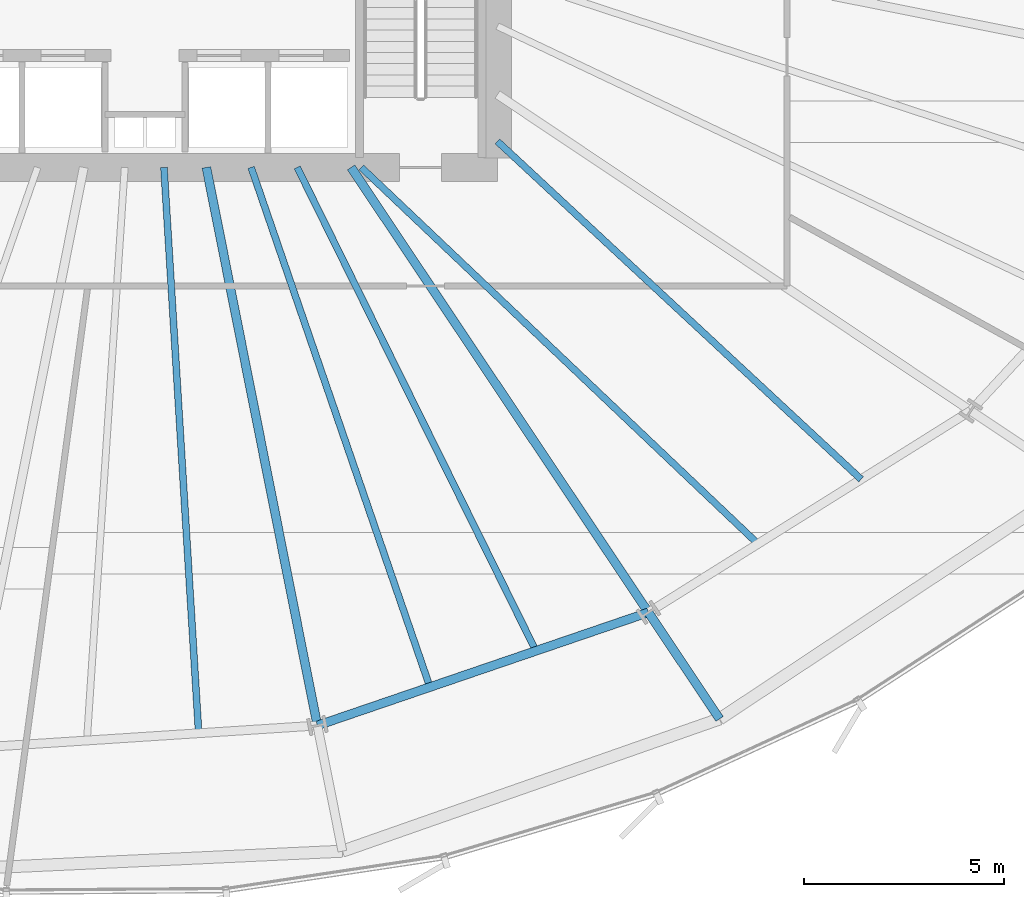
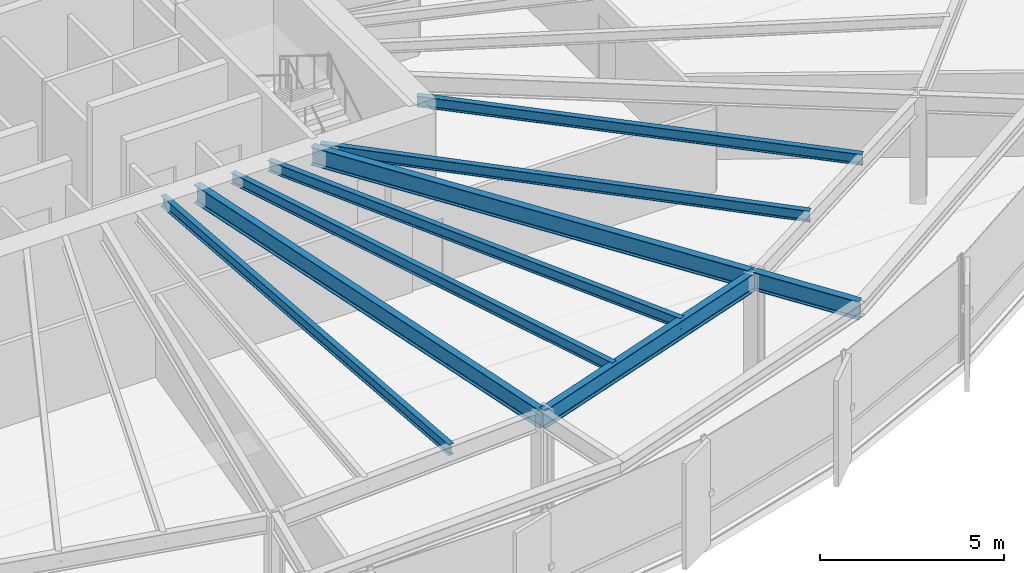
# One storey, part 12 of 37: 9 beams.
"""IFC4 building model written with IfcOpenShell, lengths in metres."""

import ifcopenshell
import ifcopenshell.guid

model = None  # the IFC model being written
_history = None  # IfcOwnerHistory: only IFC2X3 demands one
_inside = {}  # id of a spatial element -> (the spatial element, [elements in it])
_under = {}  # id of a project, library or spatial element -> (it, [spatial elements below it])
_declared = {}  # id of a project -> (the project, [libraries it declares])
_typed = {}  # id of a type object -> (the type object, [elements of that type])
_made_of = {}  # id of a material, layer set ... -> (it, [elements and type objects made of it])


def new_model(schema):
    """Start an empty IFC model of exactly this schema.

    Asked for "IFC4X3", IfcOpenShell would pick the latest addendum, in which some entities
    have other attributes; the version numbers below select the first issue.
    IFC2X3 requires an IfcOwnerHistory on every rooted entity: one is made here for all.
    """
    global model, _history
    if schema == "IFC4X3":
        model = ifcopenshell.file(schema_version=(4, 3, 0, 0))
    else:
        model = ifcopenshell.file(schema=schema)
    _inside.clear()
    _under.clear()
    _declared.clear()
    _typed.clear()
    _made_of.clear()
    _history = None
    if model.schema == "IFC2X3":
        org = make("IfcOrganization", Name="unknown")
        user = make(
            "IfcPersonAndOrganization",
            ThePerson=make("IfcPerson", FamilyName="unknown"),
            TheOrganization=org,
        )
        app = make(
            "IfcApplication",
            ApplicationDeveloper=org,
            Version="unknown",
            ApplicationFullName="unknown",
            ApplicationIdentifier="unknown",
        )
        _history = make(
            "IfcOwnerHistory",
            OwningUser=user,
            OwningApplication=app,
            ChangeAction="ADDED",
            CreationDate=0,
        )
    return model


def make(cls, **values):
    """One entity of the class cls with the attributes given. An attribute that is None is left unset."""
    return model.create_entity(
        cls, **{name: value for name, value in values.items() if value is not None}
    )


def rooted(cls, **values):
    """An entity with a GlobalId (a new one), such as an element, a storey or a relation."""
    return make(cls, GlobalId=ifcopenshell.guid.new(), OwnerHistory=_history, **values)


def si_unit(unit_type, name, prefix=None):
    """IfcSIUnit, for example si_unit("LENGTHUNIT", "METRE", prefix="MILLI")."""
    return make("IfcSIUnit", UnitType=unit_type, Prefix=prefix, Name=name)


def assignment(units):
    """IfcUnitAssignment: the units of a project."""
    return None if units is None else make("IfcUnitAssignment", Units=units)


def point(xyz):
    """IfcCartesianPoint."""
    return None if xyz is None else make("IfcCartesianPoint", Coordinates=xyz)


def direction(xyz):
    """IfcDirection."""
    return None if xyz is None else make("IfcDirection", DirectionRatios=xyz)


def frame(location, z_axis=None, x_axis=None):
    """IfcAxis2Placement3D, a coordinate frame: its origin and axes. An axis left out is left unset."""
    return make(
        "IfcAxis2Placement3D",
        Location=point(location),
        Axis=direction(z_axis),
        RefDirection=direction(x_axis),
    )


def frame_2d(location, x_axis=None):
    """IfcAxis2Placement2D, a coordinate frame in the plane: its origin and x axis."""
    return make(
        "IfcAxis2Placement2D", Location=point(location), RefDirection=direction(x_axis)
    )


def origin():
    """The frame at (0, 0, 0) with its axes left unset."""
    return frame((0.0, 0.0, 0.0))


def origin_2d():
    """The frame at (0, 0) in the plane with its x axis left unset."""
    return frame_2d((0.0, 0.0))


def place(relative_to, where):
    """IfcLocalPlacement: puts the frame where relative to a parent placement (None: the world)."""
    return make(
        "IfcLocalPlacement", PlacementRelTo=relative_to, RelativePlacement=where
    )


def context(
    kind, dimensions, precision=None, world=None, true_north=None, identifier=None
):
    """IfcGeometricRepresentationContext, for example the 3D "Model" context."""
    return make(
        "IfcGeometricRepresentationContext",
        ContextIdentifier=identifier,
        ContextType=kind,
        CoordinateSpaceDimension=dimensions,
        Precision=precision,
        WorldCoordinateSystem=world,
        TrueNorth=true_north,
    )


def subcontext(parent, identifier, kind, view, scale=None):
    """IfcGeometricRepresentationSubContext, for example "Body" below "Model"."""
    return make(
        "IfcGeometricRepresentationSubContext",
        ContextIdentifier=identifier,
        ContextType=kind,
        ParentContext=parent,
        TargetScale=scale,
        TargetView=view,
    )


def project(units=None, contexts=None):
    """IfcProject with its units and contexts."""
    return rooted(
        "IfcProject",
        Name="project",
        RepresentationContexts=contexts,
        UnitsInContext=assignment(units),
    )


def spatial(cls, under=None, at=None, **own):
    """A site, building, storey or space (cls), placed at a placement, below another one or the project."""
    s = rooted(cls, ObjectPlacement=at, **own)
    if under is not None:
        _under.setdefault(under.id(), (under, []))[1].append(s)
    return s


def profile(cls, at=None, kind="AREA", **sizes):
    """A parametric profile (cls). Its sizes go by their IFC names, for example OverallWidth=200.0."""
    return make(cls, ProfileType=kind, Position=at, **sizes)


def i_section(**sizes):
    """IfcIShapeProfileDef."""
    return profile("IfcIShapeProfileDef", **sizes)


def extrude(swept, where, along, depth):
    """IfcExtrudedAreaSolid: the profile swept, set in the frame where, extruded along a direction by depth."""
    return make(
        "IfcExtrudedAreaSolid",
        SweptArea=swept,
        Position=where,
        ExtrudedDirection=direction(along),
        Depth=depth,
    )


def shape(context_of_items, identifier, shape_type, items):
    """IfcShapeRepresentation: the items that make up one representation, for example the "Body"."""
    return make(
        "IfcShapeRepresentation",
        ContextOfItems=context_of_items,
        RepresentationIdentifier=identifier,
        RepresentationType=shape_type,
        Items=items,
    )


def source(mapping_origin, context_of_items, identifier, shape_type, items):
    """IfcRepresentationMap: a shape defined once, which mapped items show again and again."""
    return make(
        "IfcRepresentationMap",
        MappingOrigin=mapping_origin,
        MappedRepresentation=shape(context_of_items, identifier, shape_type, items),
    )


def transform(
    local_origin,
    x_axis=None,
    y_axis=None,
    z_axis=None,
    scale=None,
    scale2=None,
    scale3=None,
    uniform=True,
):
    """IfcCartesianTransformationOperator3D, or its non-uniform kind. x_axis, y_axis, z_axis: its Axis1, 2, 3."""
    if uniform:
        return make(
            "IfcCartesianTransformationOperator3D",
            Axis1=direction(x_axis),
            Axis2=direction(y_axis),
            LocalOrigin=point(local_origin),
            Scale=scale,
            Axis3=direction(z_axis),
        )
    return make(
        "IfcCartesianTransformationOperator3DnonUniform",
        Axis1=direction(x_axis),
        Axis2=direction(y_axis),
        LocalOrigin=point(local_origin),
        Scale=scale,
        Axis3=direction(z_axis),
        Scale2=scale2,
        Scale3=scale3,
    )


def mapped(mapping_source, mapping_target):
    """IfcMappedItem: shows the shape of a source again, moved by a transform."""
    return make(
        "IfcMappedItem", MappingSource=mapping_source, MappingTarget=mapping_target
    )


def material(Name=None, Category=None):
    """IfcMaterial."""
    return make("IfcMaterial", Name=Name, Category=Category)


def material_profile(
    of_material, cross_section, Name=None, Category=None, Priority=None
):
    """IfcMaterialProfile: a cross section and its material."""
    return make(
        "IfcMaterialProfile",
        Name=Name,
        Material=of_material,
        Profile=cross_section,
        Priority=Priority,
        Category=Category,
    )


def profile_set(profiles, Name=None, composite=None):
    """IfcMaterialProfileSet."""
    return make(
        "IfcMaterialProfileSet",
        Name=Name,
        MaterialProfiles=profiles,
        CompositeProfile=composite,
    )


def made_of(thing, what):
    """Note that an element or type object is made of a material, layer set ...; save() writes the relation."""
    if what is not None:
        _made_of.setdefault(what.id(), (what, []))[1].append(thing)
    return thing


def type_object(cls, material=None, **own):
    """A type object (cls), such as IfcWallType, which elements share."""
    return made_of(rooted(cls, **own), material)


def element(
    cls,
    number,
    at=None,
    inside=None,
    cuts=None,
    type_object=None,
    material=None,
    context=None,
    identifier="Body",
    shape_type=None,
    held_by="IfcProductDefinitionShape",
    body=None,
    shapes=None,
    **own,
):
    """One element of the class cls, such as IfcWall. Its Tag is "e" and its number.

    at: its placement. inside: the storey or other place that contains it. cuts: it is an
    opening in that element (IfcRelVoidsElement). A single representation is given by context,
    identifier, shape_type and body (its items); several are given by shapes. held_by: the class
    of the entity that holds the representations. save() writes the other relations.
    """
    e = rooted(cls, Tag="e%d" % number, ObjectPlacement=at, **own)
    if body is not None:
        shapes = [shape(context, identifier, shape_type, body)]
    if shapes is not None:
        e.Representation = make(held_by, Representations=shapes)
    if inside is not None:
        _inside.setdefault(inside.id(), (inside, []))[1].append(e)
    if cuts is not None:
        rooted(
            "IfcRelVoidsElement", RelatingBuildingElement=cuts, RelatedOpeningElement=e
        )
    if type_object is not None:
        _typed.setdefault(type_object.id(), (type_object, []))[1].append(e)
    return made_of(e, material)


def aggregate(whole, parts):
    """IfcRelAggregates: a whole, such as a stair, and the parts it consists of."""
    return rooted("IfcRelAggregates", RelatingObject=whole, RelatedObjects=parts)


def save(model, path):
    """Write the relations noted so far, then the file.

    IfcRelAggregates (storeys below a building ...), IfcRelContainedInSpatialStructure (elements
    in a storey), IfcRelDefinesByType, IfcRelAssociatesMaterial and IfcRelDeclares: one each for
    every whole, place, type object, material and project.
    """
    for whole, parts in _under.values():
        aggregate(whole, parts)
    for where, things in _inside.values():
        rooted(
            "IfcRelContainedInSpatialStructure",
            RelatedElements=things,
            RelatingStructure=where,
        )
    for kind, things in _typed.values():
        rooted("IfcRelDefinesByType", RelatedObjects=things, RelatingType=kind)
    for what, things in _made_of.values():
        rooted("IfcRelAssociatesMaterial", RelatedObjects=things, RelatingMaterial=what)
    for by, libraries in _declared.values():
        rooted("IfcRelDeclares", RelatingContext=by, RelatedDefinitions=libraries)
    model.write(path)


model = new_model("IFC4")

# Units and contexts
model_context = context("Model", 3, precision=1e-05, world=origin(), true_north=direction((0.0, 1.0)))
body_context = subcontext(model_context, "Body", "Model", "MODEL_VIEW")
ifc_project = project(units=[si_unit("LENGTHUNIT", "METRE"), si_unit("AREAUNIT", "SQUARE_METRE"), si_unit("VOLUMEUNIT", "CUBIC_METRE"), si_unit("PLANEANGLEUNIT", "RADIAN"), si_unit("MASSUNIT", "GRAM", prefix="KILO"), si_unit("THERMODYNAMICTEMPERATUREUNIT", "KELVIN")], contexts=[model_context])

# Site, building, storey
site_placement = place(None, origin())
site = spatial("IfcSite", under=ifc_project, at=site_placement, CompositionType="ELEMENT")
building_placement = place(site_placement, origin())
building = spatial("IfcBuilding", under=site, at=building_placement, Name="Kethvar Cultural Tower", CompositionType="ELEMENT")
storey_placement = place(building_placement, frame((0.0, 0.0, 48.60009765625)))
storey = spatial("IfcBuildingStorey", under=building, at=storey_placement, Name="L11", CompositionType="ELEMENT", Elevation=48.60009765625)

# Beams
ifc_material = material(Name="Steel S355J2", Category="steel")
ifc_material_profile_1 = material_profile(ifc_material, i_section(OverallWidth=0.219970703125, OverallDepth=0.60009765625, WebThickness=0.011962890625, FlangeThickness=0.01904296875, FilletRadius=0.02392578125, at=origin_2d()), Name="Steel S355J2 — IPE600")
ifc_profile_set_1 = profile_set([ifc_material_profile_1], Name="Steel S355J2 — IPE600")
beam_type_1 = type_object("IfcBeamType", Name="BM-IPE600", PredefinedType="BEAM", material=ifc_profile_set_1)
shared_shape_1 = source(origin(), body_context, "Body", "SweptSolid", [
    extrude(i_section(OverallWidth=0.219970703125, OverallDepth=0.60009765625, WebThickness=0.011962890625, FlangeThickness=0.01904296875, FilletRadius=0.02392578125, at=origin_2d()), origin(), (0.0, 0.0, 1.0), 3.199951171875),
])
beam_1_placement = place(storey_placement, frame((59.370361328125, 8.987060546875, 3.247802734375), z_axis=(0.555580212716, -0.831462943996, 0.0), x_axis=(0.831462943996, 0.555580212716, 0.0)))
element("IfcBeam", 1, at=beam_1_placement, inside=storey, type_object=beam_type_1, Name="L11 Perimeter Cantilever Beam RC-14", PredefinedType="BEAM", context=body_context, shape_type="MappedRepresentation", body=[
    mapped(shared_shape_1, transform((0.0, 0.0, 0.0), scale=1.0)),
])
shared_shape_2 = source(origin(), body_context, "Body", "SweptSolid", [
    extrude(i_section(OverallWidth=0.219970703125, OverallDepth=0.60009765625, WebThickness=0.011962890625, FlangeThickness=0.01904296875, FilletRadius=0.02392578125, at=origin_2d()), origin(), (0.0, 0.0, 1.0), 14.210693359375),
])
beam_2_placement = place(storey_placement, frame((48.33154296875, 20.10009765625, 3.247802734375), z_axis=(0.195098432651, -0.980783667063, 0.0), x_axis=(0.980783667063, 0.195098432651, 0.0)))
element("IfcBeam", 2, at=beam_2_placement, inside=storey, type_object=beam_type_1, Name="L11 Primary Radial Beam RB-13", PredefinedType="BEAM", context=body_context, shape_type="MappedRepresentation", body=[
    mapped(shared_shape_2, transform((0.0, 0.0, 0.0), scale=1.0)),
])
shared_shape_3 = source(origin(), body_context, "Body", "SweptSolid", [
    extrude(i_section(OverallWidth=0.219970703125, OverallDepth=0.60009765625, WebThickness=0.011962890625, FlangeThickness=0.01904296875, FilletRadius=0.02392578125, at=origin_2d()), origin(), (0.0, 0.0, 1.0), 13.365478515625),
])
beam_3_placement = place(storey_placement, frame((51.945068359375, 20.10009765625, 3.247802734375), z_axis=(0.555559834465, -0.831476560301, 0.0), x_axis=(0.831476560301, 0.555559834465, 0.0)))
element("IfcBeam", 3, at=beam_3_placement, inside=storey, type_object=beam_type_1, Name="L11 Primary Radial Beam RB-14", PredefinedType="BEAM", context=body_context, shape_type="MappedRepresentation", body=[
    mapped(shared_shape_3, transform((0.0, 0.0, 0.0), scale=1.0)),
])
ifc_material_profile_2 = material_profile(ifc_material, i_section(OverallWidth=0.169921875, OverallDepth=0.360107421875, WebThickness=0.008056640625, FlangeThickness=0.0126953125, FilletRadius=0.01806640625, at=origin_2d()), Name="Steel S355J2 — IPE360")
ifc_profile_set_2 = profile_set([ifc_material_profile_2], Name="Steel S355J2 — IPE360")
beam_type_2 = type_object("IfcBeamType", Name="BM-J360", PredefinedType="JOIST", material=ifc_profile_set_2)
shared_shape_4 = source(origin(), body_context, "Body", "SweptSolid", [
    extrude(i_section(OverallWidth=0.169921875, OverallDepth=0.360107421875, WebThickness=0.008056640625, FlangeThickness=0.0126953125, FilletRadius=0.01806640625, at=origin_2d()), origin(), (0.0, 0.0, 1.0), 14.156494140625),
])
beam_4_placement = place(storey_placement, frame((47.272216796875, 20.10009765625, 3.367919921875), z_axis=(0.06122296991, -0.998124114505, 0.0), x_axis=(0.998124114505, 0.06122296991, 0.0)))
element("IfcBeam", 4, at=beam_4_placement, inside=storey, type_object=beam_type_2, Name="L11 Composite Floor Joist J-12B", PredefinedType="JOIST", context=body_context, shape_type="MappedRepresentation", body=[
    mapped(shared_shape_4, transform((0.0, 0.0, 0.0), scale=1.0)),
])
shared_shape_5 = source(origin(), body_context, "Body", "SweptSolid", [
    extrude(i_section(OverallWidth=0.219970703125, OverallDepth=0.60009765625, WebThickness=0.011962890625, FlangeThickness=0.01904296875, FilletRadius=0.02392578125, at=origin_2d()), origin(), (0.0, 0.0, 1.0), 8.735595703125),
])
beam_5_placement = place(storey_placement, frame((51.10400390625, 6.16259765625, 3.247802734375), z_axis=(0.946286676119, 0.323328821171, 0.0), x_axis=(-0.323328821171, 0.946286676119, 0.0)))
element("IfcBeam", 5, at=beam_5_placement, inside=storey, type_object=beam_type_1, Name="L11 Column Ring Tie Beam CR-13", PredefinedType="BEAM", context=body_context, shape_type="MappedRepresentation", body=[
    mapped(shared_shape_5, transform((0.0, 0.0, 0.0), scale=1.0)),
])
shared_shape_6 = source(origin(), body_context, "Body", "SweptSolid", [
    extrude(i_section(OverallWidth=0.169921875, OverallDepth=0.360107421875, WebThickness=0.008056640625, FlangeThickness=0.0126953125, FilletRadius=0.01806640625, at=origin_2d()), origin(), (0.0, 0.0, 1.0), 13.7236328125),
])
beam_6_placement = place(storey_placement, frame((49.449462890625, 20.10009765625, 3.367919921875), z_axis=(0.325355191569, -0.945591877778, 0.0), x_axis=(0.945591877778, 0.325355191569, 0.0)))
element("IfcBeam", 6, at=beam_6_placement, inside=storey, type_object=beam_type_2, Name="L11 Composite Floor Joist J-13A", PredefinedType="JOIST", context=body_context, shape_type="MappedRepresentation", body=[
    mapped(shared_shape_6, transform((0.0, 0.0, 0.0), scale=1.0)),
])
shared_shape_7 = source(origin(), body_context, "Body", "SweptSolid", [
    extrude(i_section(OverallWidth=0.169921875, OverallDepth=0.360107421875, WebThickness=0.008056640625, FlangeThickness=0.0126953125, FilletRadius=0.01806640625, at=origin_2d()), origin(), (0.0, 0.0, 1.0), 13.4638671875),
])
beam_7_placement = place(storey_placement, frame((50.6005859375, 20.10009765625, 3.367919921875), z_axis=(0.442609148219, -0.89671463795, 0.0), x_axis=(0.89671463795, 0.442609148219, 0.0)))
element("IfcBeam", 7, at=beam_7_placement, inside=storey, type_object=beam_type_2, Name="L11 Composite Floor Joist J-13B", PredefinedType="JOIST", context=body_context, shape_type="MappedRepresentation", body=[
    mapped(shared_shape_7, transform((0.0, 0.0, 0.0), scale=1.0)),
])
shared_shape_8 = source(origin(), body_context, "Body", "SweptSolid", [
    extrude(i_section(OverallWidth=0.169921875, OverallDepth=0.360107421875, WebThickness=0.008056640625, FlangeThickness=0.0126953125, FilletRadius=0.01806640625, at=origin_2d()), origin(), (0.0, 0.0, 1.0), 13.656982421875),
])
beam_8_placement = place(storey_placement, frame((52.199951171875, 20.10009765625, 3.367919921875), z_axis=(0.725392974221, -0.688334971472, 0.0), x_axis=(0.688334971472, 0.725392974221, 0.0)))
element("IfcBeam", 8, at=beam_8_placement, inside=storey, type_object=beam_type_2, Name="L11 Composite Floor Joist J-14A", PredefinedType="JOIST", context=body_context, shape_type="MappedRepresentation", body=[
    mapped(shared_shape_8, transform((0.0, 0.0, 0.0), scale=1.0)),
])
shared_shape_9 = source(origin(), body_context, "Body", "SweptSolid", [
    extrude(i_section(OverallWidth=0.169921875, OverallDepth=0.360107421875, WebThickness=0.008056640625, FlangeThickness=0.0126953125, FilletRadius=0.01806640625, at=origin_2d()), origin(), (0.0, 0.0, 1.0), 12.3974609375),
])
beam_9_placement = place(storey_placement, frame((55.60009765625, 20.75, 3.367919921875), z_axis=(0.732566203092, -0.68069578968, 0.0), x_axis=(0.68069578968, 0.732566203092, 0.0)))
element("IfcBeam", 9, at=beam_9_placement, inside=storey, type_object=beam_type_2, Name="L11 Composite Floor Joist J-14B", PredefinedType="JOIST", context=body_context, shape_type="MappedRepresentation", body=[
    mapped(shared_shape_9, transform((0.0, 0.0, 0.0), scale=1.0)),
])

save(model, "model.ifc")
